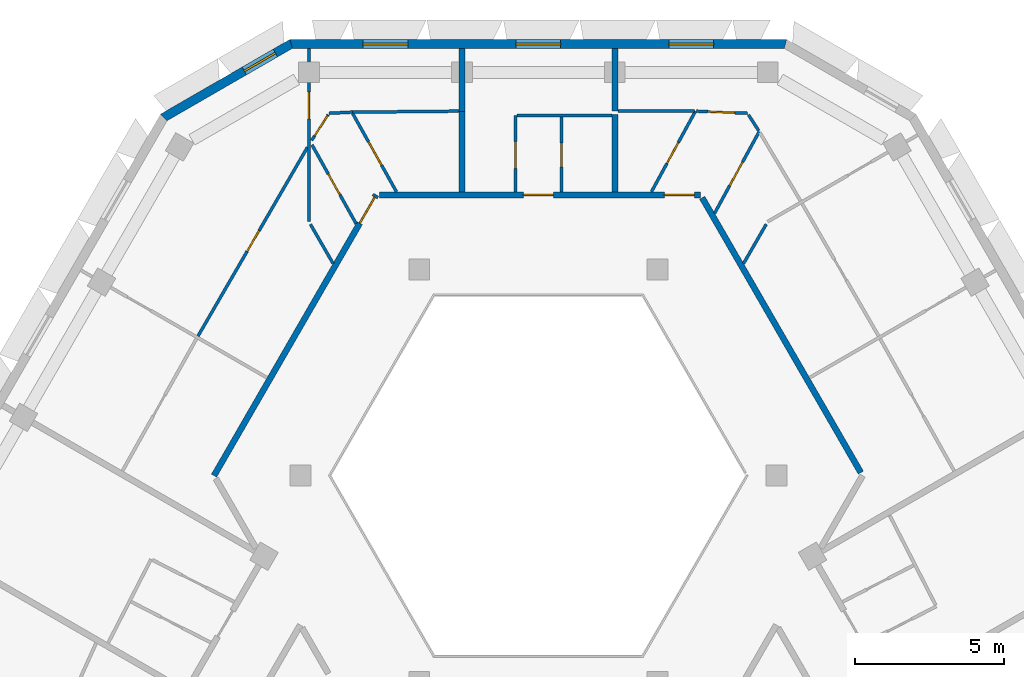
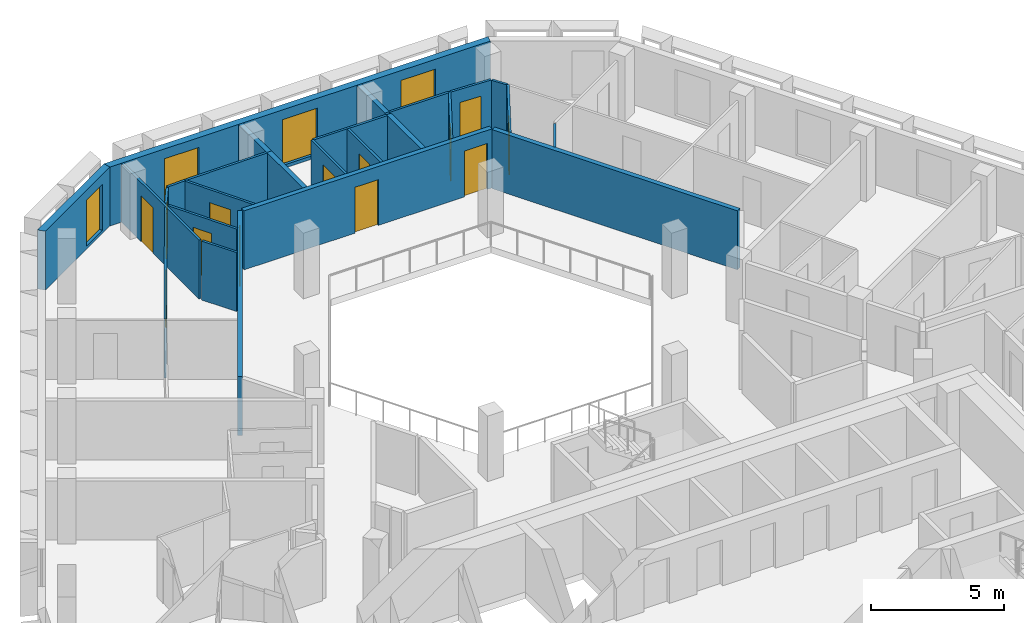
# One storey, part 7 of 15: 26 walls, 13 doors, 4 windows, 17 openings.
"""IFC4 building model written with IfcOpenShell, lengths in metres."""

from ifc_helpers import new_model, si_unit, direction, frame, frame_2d, origin, place, context, subcontext, project, spatial, polyline, rectangle, outline, extrude, material, layer, layer_set, type_object, element, fill, save


model = new_model("IFC4")

# Units and contexts
model_context = context("Model", 3, precision=1e-05, world=origin(), true_north=direction((0.0, 1.0)))
body_context = subcontext(model_context, "Body", "Model", "MODEL_VIEW")
ifc_project = project(units=[si_unit("LENGTHUNIT", "METRE"), si_unit("AREAUNIT", "SQUARE_METRE"), si_unit("VOLUMEUNIT", "CUBIC_METRE"), si_unit("PLANEANGLEUNIT", "RADIAN"), si_unit("MASSUNIT", "GRAM", prefix="KILO")], contexts=[model_context])

# Site, building, storey
site_placement = place(None, origin())
site = spatial("IfcSite", under=ifc_project, at=site_placement, CompositionType="ELEMENT")
building_placement = place(site_placement, origin())
building = spatial("IfcBuilding", under=site, at=building_placement, Name="Beryl Residences", CompositionType="ELEMENT")
storey_placement = place(building_placement, frame((0.0, 0.0, 217.800048828125)))
storey = spatial("IfcBuildingStorey", under=building, at=storey_placement, Name="L67", CompositionType="ELEMENT", Elevation=217.800048828125)

# Wall, openings, windows
ifc_material_1 = material(Name="Composite metal panel with mineral wool insulation")
ifc_layer_1 = layer(ifc_material_1, 0.300048828125)
ifc_layer_set_1 = layer_set([ifc_layer_1], Name="ES1 pale metal composite panel wall 300 mm")
wall_type_1 = type_object("IfcWallType", Name="ES1 pale metal composite panel wall 300 mm", PredefinedType="SOLIDWALL", material=ifc_layer_set_1)
wall_1_placement = place(storey_placement, frame((8.31396484375, 22.449951171875, 0.0), z_axis=(0.0, 0.0, 1.0), x_axis=(-1.0, 0.0, 0.0)))
wall_1 = element("IfcWall", 1, at=wall_1_placement, inside=storey, type_object=wall_type_1, Name="ES1 external wall L67 N", PredefinedType="SOLIDWALL", context=body_context, shape_type="SweptSolid", body=[
    extrude(outline(polyline([(0.0, -0.14990234375), (16.6279296875, -0.14990234375), (16.547607421875, 0.14990234375), (0.080322265625, 0.14990234375), (0.0, -0.14990234375)])), origin(), (0.0, 0.0, 1.0), 2.699951171875),
])
opening_1_placement = place(wall_1_placement, frame((2.444091796875, 0.0, 0.14990234375)))
opening_1 = element("IfcOpeningElement", 2, at=opening_1_placement, cuts=wall_1, Name="Opening W1", PredefinedType="OPENING", context=body_context, shape_type="SweptSolid", body=[
    extrude(rectangle(XDim=1.5, YDim=2.10009765625, at=frame_2d((0.75, 1.050048828125))), frame((0.0, 0.159912109375, 0.0), z_axis=(0.0, -1.0, 0.0), x_axis=(1.0, 0.0, 0.0)), (0.0, 0.0, 1.0), 0.320068359375),
])
opening_2_placement = place(wall_1_placement, frame((7.56396484375, 0.0, 0.14990234375)))
opening_2 = element("IfcOpeningElement", 3, at=opening_2_placement, cuts=wall_1, Name="Opening W1", PredefinedType="OPENING", context=body_context, shape_type="SweptSolid", body=[
    extrude(rectangle(XDim=1.5, YDim=2.10009765625, at=frame_2d((0.75, 1.050048828125))), frame((0.0, 0.159912109375, 0.0), z_axis=(0.0, -1.0, 0.0), x_axis=(1.0, 0.0, 0.0)), (0.0, 0.0, 1.0), 0.320068359375),
])
opening_3_placement = place(wall_1_placement, frame((12.68310546875, 0.0, 0.14990234375)))
opening_3 = element("IfcOpeningElement", 4, at=opening_3_placement, cuts=wall_1, Name="Opening W1", PredefinedType="OPENING", context=body_context, shape_type="SweptSolid", body=[
    extrude(rectangle(XDim=1.5, YDim=2.10009765625, at=frame_2d((0.75, 1.050048828125))), frame((0.0, 0.159912109375, 0.0), z_axis=(0.0, -1.0, 0.0), x_axis=(1.0, 0.0, 0.0)), (0.0, 0.0, 1.0), 0.320068359375),
])
ifc_material_2 = material(Name="Aluminium and clear glass", Category="aluminium")
window_type_1 = type_object("IfcWindowType", Name="W1 cell window 1500 x 2100 mm", PartitioningType="SINGLE_PANEL", PredefinedType="WINDOW", material=ifc_material_2)
window_1_placement = place(opening_1_placement, origin())
window_1 = element("IfcWindow", 5, at=window_1_placement, inside=storey, type_object=window_type_1, Name="W1 window L67 N 2", OverallHeight=2.10009765625, OverallWidth=1.5, PartitioningType="SINGLE_PANEL", PredefinedType="WINDOW", context=body_context, shape_type="SweptSolid", body=[
    extrude(rectangle(XDim=1.5, YDim=2.10009765625, at=frame_2d((0.75, 1.050048828125))), frame((0.0, 0.030029296875, 0.0), z_axis=(0.0, -1.0, 0.0), x_axis=(1.0, 0.0, 0.0)), (0.0, 0.0, 1.0), 0.06005859375),
])
fill(opening_1, window_1)
window_2_placement = place(opening_2_placement, origin())
window_2 = element("IfcWindow", 6, at=window_2_placement, inside=storey, type_object=window_type_1, Name="W1 window L67 N 4", OverallHeight=2.10009765625, OverallWidth=1.5, PartitioningType="SINGLE_PANEL", PredefinedType="WINDOW", context=body_context, shape_type="SweptSolid", body=[
    extrude(rectangle(XDim=1.5, YDim=2.10009765625, at=frame_2d((0.75, 1.050048828125))), frame((0.0, 0.030029296875, 0.0), z_axis=(0.0, -1.0, 0.0), x_axis=(1.0, 0.0, 0.0)), (0.0, 0.0, 1.0), 0.06005859375),
])
fill(opening_2, window_2)
window_3_placement = place(opening_3_placement, origin())
window_3 = element("IfcWindow", 7, at=window_3_placement, inside=storey, type_object=window_type_1, Name="W1 window L67 N 6", OverallHeight=2.10009765625, OverallWidth=1.5, PartitioningType="SINGLE_PANEL", PredefinedType="WINDOW", context=body_context, shape_type="SweptSolid", body=[
    extrude(rectangle(XDim=1.5, YDim=2.10009765625, at=frame_2d((0.75, 1.050048828125))), frame((0.0, 0.030029296875, 0.0), z_axis=(0.0, -1.0, 0.0), x_axis=(1.0, 0.0, 0.0)), (0.0, 0.0, 1.0), 0.06005859375),
])
fill(opening_3, window_3)

# Wall, opening, window
wall_2_placement = place(storey_placement, frame((-8.239013671875, 22.469970703125, 0.0), z_axis=(0.0, 0.0, 1.0), x_axis=(-0.866022959057, -0.500004234368, 0.0)))
wall_2 = element("IfcWall", 8, at=wall_2_placement, inside=storey, type_object=wall_type_1, Name="ES1 external wall L67 N-NW", PredefinedType="SOLIDWALL", context=body_context, shape_type="SweptSolid", body=[
    extrude(outline(polyline([(0.0, -0.14990234375), (5.0, -0.14990234375), (4.919677734375, 0.14990234375), (0.080322265625, 0.14990234375), (0.0, -0.14990234375)])), origin(), (0.0, 0.0, 1.0), 2.699951171875),
])
opening_4_placement = place(wall_2_placement, frame((0.64990234375, 0.0, 0.14990234375)))
opening_4 = element("IfcOpeningElement", 9, at=opening_4_placement, cuts=wall_2, Name="Opening W2", PredefinedType="OPENING", context=body_context, shape_type="SweptSolid", body=[
    extrude(rectangle(XDim=1.199951171875, YDim=2.10009765625, at=frame_2d((0.60009765625, 1.050048828125))), frame((0.0, 0.159912109375, 0.0), z_axis=(0.0, -1.0, 0.0), x_axis=(1.0, 0.0, 0.0)), (0.0, 0.0, 1.0), 0.320068359375),
])
ifc_material_3 = material(Name="Aluminium and clear glass", Category="aluminium")
window_type_2 = type_object("IfcWindowType", Name="W2 chamfer window 1200 x 2100 mm", PartitioningType="SINGLE_PANEL", PredefinedType="WINDOW", material=ifc_material_3)
window_4_placement = place(opening_4_placement, origin())
window_4 = element("IfcWindow", 10, at=window_4_placement, inside=storey, type_object=window_type_2, Name="W2 window L67 N-NW 1", OverallHeight=2.10009765625, OverallWidth=1.199951171875, PartitioningType="SINGLE_PANEL", PredefinedType="WINDOW", context=body_context, shape_type="SweptSolid", body=[
    extrude(rectangle(XDim=1.199951171875, YDim=2.10009765625, at=frame_2d((0.60009765625, 1.050048828125))), frame((0.0, 0.030029296875, 0.0), z_axis=(0.0, -1.0, 0.0), x_axis=(1.0, 0.0, 0.0)), (0.0, 0.0, 1.0), 0.06005859375),
])
fill(opening_4, window_4)

# Walls
ifc_material_4 = material(Name="Gypsum board partition on steel studs", Category="steel")
ifc_layer_2 = layer(ifc_material_4, 0.10009765625)
ifc_layer_set_2 = layer_set([ifc_layer_2], Name="PT1 partition 100 mm gypsum board on steel studs")
wall_type_2 = type_object("IfcWallType", Name="PT1 partition 100 mm gypsum board on steel studs", PredefinedType="PARTITIONING", material=ifc_layer_set_2)
wall_3_placement = place(storey_placement, frame((7.034912109375, 20.076904296875, 0.0), z_axis=(0.0, 0.0, 1.0), x_axis=(0.540425167977, -0.841392083286, 0.0)))
element("IfcWall", 11, at=wall_3_placement, inside=storey, type_object=wall_type_2, Name="Wall PT1 L67 003", PredefinedType="PARTITIONING", context=body_context, shape_type="SweptSolid", body=[
    extrude(rectangle(XDim=0.631103515625, YDim=0.10009765625, at=frame_2d((0.3154296875, 0.0))), origin(), (0.0, 0.0, 1.0), 2.699951171875),
])
wall_4_placement = place(storey_placement, frame((-7.6279296875, 16.412109375, 0.0), z_axis=(0.0, 0.0, 1.0), x_axis=(0.500159472144, -0.86593331292, 0.0)))
element("IfcWall", 12, at=wall_4_placement, inside=storey, type_object=wall_type_2, Name="Wall PT1 L67 006", PredefinedType="PARTITIONING", context=body_context, shape_type="SweptSolid", body=[
    extrude(rectangle(XDim=1.51513671875, YDim=0.10009765625, at=frame_2d((0.757568359375, 0.0))), origin(), (0.0, 0.0, 1.0), 2.699951171875),
])

# Wall, opening, door
wall_5_placement = place(storey_placement, frame((-6.2109375, 20.114990234375, 0.0), z_axis=(0.0, 0.0, 1.0), x_axis=(0.488221234931, -0.872719901092, 0.0)))
wall_5 = element("IfcWall", 13, at=wall_5_placement, inside=storey, type_object=wall_type_2, Name="Wall PT1 L67 009", PredefinedType="PARTITIONING", context=body_context, shape_type="SweptSolid", body=[
    extrude(rectangle(XDim=2.996337890625, YDim=0.10009765625, at=frame_2d((1.498046875, 0.0))), origin(), (0.0, 0.0, 1.0), 2.699951171875),
])
opening_5_placement = place(wall_5_placement, frame((1.076904296875, 0.0, 0.0)))
opening_5 = element("IfcOpeningElement", 14, at=opening_5_placement, cuts=wall_5, Name="Opening D2114", PredefinedType="OPENING", context=body_context, shape_type="SweptSolid", body=[
    extrude(rectangle(XDim=0.89990234375, YDim=2.10009765625, at=frame_2d((0.449951171875, 1.050048828125))), frame((0.0, 0.06005859375, 0.0), z_axis=(0.0, -1.0, 0.0), x_axis=(1.0, 0.0, 0.0)), (0.0, 0.0, 1.0), 0.1201171875),
])
ifc_material_5 = material(Name="Timber door leaf", Category="wood")
door_type_1 = type_object("IfcDoorType", Name="D2 room door 900 x 2100 mm", OperationType="SINGLE_SWING_LEFT", PredefinedType="DOOR", material=ifc_material_5)
door_1_placement = place(opening_5_placement, origin())
door_1 = element("IfcDoor", 15, at=door_1_placement, inside=storey, type_object=door_type_1, Name="Door D2114 L67 001", OperationType="SINGLE_SWING_RIGHT", OverallHeight=2.10009765625, OverallWidth=0.89990234375, PredefinedType="DOOR", context=body_context, shape_type="SweptSolid", body=[
    extrude(rectangle(XDim=0.89990234375, YDim=2.10009765625, at=frame_2d((0.449951171875, 1.050048828125))), frame((0.0, 0.02490234375, 0.0), z_axis=(0.0, -1.0, 0.0), x_axis=(1.0, 0.0, 0.0)), (0.0, 0.0, 1.0), 0.050048828125),
])
fill(opening_5, door_1)

wall_6_placement = place(storey_placement, frame((-7.574951171875, 19.070068359375, 0.0), z_axis=(0.0, 0.0, 1.0), x_axis=(0.488413788688, -0.872612153834, 0.0)))
wall_6 = element("IfcWall", 16, at=wall_6_placement, inside=storey, type_object=wall_type_2, Name="Wall PT1 L67 010", PredefinedType="PARTITIONING", context=body_context, shape_type="SweptSolid", body=[
    extrude(rectangle(XDim=3.019775390625, YDim=0.10009765625, at=frame_2d((1.509765625, 0.0))), origin(), (0.0, 0.0, 1.0), 2.699951171875),
])
opening_6_placement = place(wall_6_placement, frame((1.116943359375, 0.0, 0.0)))
opening_6 = element("IfcOpeningElement", 17, at=opening_6_placement, cuts=wall_6, Name="Opening D2113", PredefinedType="OPENING", context=body_context, shape_type="SweptSolid", body=[
    extrude(rectangle(XDim=0.800048828125, YDim=2.10009765625, at=frame_2d((0.39990234375, 1.050048828125))), frame((0.0, 0.06005859375, 0.0), z_axis=(0.0, -1.0, 0.0), x_axis=(1.0, 0.0, 0.0)), (0.0, 0.0, 1.0), 0.1201171875),
])
ifc_material_6 = material(Name="Timber door leaf", Category="wood")
door_type_2 = type_object("IfcDoorType", Name="D3 bathroom door 800 x 2100 mm", OperationType="SINGLE_SWING_LEFT", PredefinedType="DOOR", material=ifc_material_6)
door_2_placement = place(opening_6_placement, origin())
door_2 = element("IfcDoor", 18, at=door_2_placement, inside=storey, type_object=door_type_2, Name="Door D2113 L67 001", OperationType="SINGLE_SWING_LEFT", OverallHeight=2.10009765625, OverallWidth=0.800048828125, PredefinedType="DOOR", context=body_context, shape_type="SweptSolid", body=[
    extrude(rectangle(XDim=0.800048828125, YDim=2.10009765625, at=frame_2d((0.39990234375, 1.050048828125))), frame((0.0, 0.02490234375, 0.0), z_axis=(0.0, -1.0, 0.0), x_axis=(1.0, 0.0, 0.0)), (0.0, 0.0, 1.0), 0.050048828125),
])
fill(opening_6, door_2)

wall_7_placement = place(storey_placement, frame((5.2939453125, 20.197998046875, 0.0), z_axis=(0.0, 0.0, 1.0), x_axis=(0.999159599203, -0.040988965834, 0.0)))
wall_7 = element("IfcWall", 19, at=wall_7_placement, inside=storey, type_object=wall_type_2, Name="Wall PT1 L67 014", PredefinedType="PARTITIONING", context=body_context, shape_type="SweptSolid", body=[
    extrude(rectangle(XDim=1.70947265625, YDim=0.10009765625, at=frame_2d((0.854736328125, 0.0))), origin(), (0.0, 0.0, 1.0), 2.699951171875),
])
opening_7_placement = place(wall_7_placement, frame((0.376953125, 0.0, 0.0)))
opening_7 = element("IfcOpeningElement", 20, at=opening_7_placement, cuts=wall_7, Name="Opening D2104", PredefinedType="OPENING", context=body_context, shape_type="SweptSolid", body=[
    extrude(rectangle(XDim=0.89990234375, YDim=2.10009765625, at=frame_2d((0.449951171875, 1.050048828125))), frame((0.0, 0.06005859375, 0.0), z_axis=(0.0, -1.0, 0.0), x_axis=(1.0, 0.0, 0.0)), (0.0, 0.0, 1.0), 0.1201171875),
])
door_3_placement = place(opening_7_placement, origin())
door_3 = element("IfcDoor", 21, at=door_3_placement, inside=storey, type_object=door_type_1, Name="Door D2104 L67 001", OperationType="SINGLE_SWING_RIGHT", OverallHeight=2.10009765625, OverallWidth=0.89990234375, PredefinedType="DOOR", context=body_context, shape_type="SweptSolid", body=[
    extrude(rectangle(XDim=0.89990234375, YDim=2.10009765625, at=frame_2d((0.449951171875, 1.050048828125))), frame((0.0, 0.02490234375, 0.0), z_axis=(0.0, -1.0, 0.0), x_axis=(1.0, 0.0, 0.0)), (0.0, 0.0, 1.0), 0.050048828125),
])
fill(opening_7, door_3)

# Walls
wall_8_placement = place(storey_placement, frame((-0.716064453125, 20.06005859375, 0.0), z_axis=(0.0, 0.0, 1.0), x_axis=(1.0, 0.0, 0.0)))
element("IfcWall", 22, at=wall_8_placement, inside=storey, type_object=wall_type_2, Name="Wall PT1 L67 023", PredefinedType="PARTITIONING", context=body_context, shape_type="SweptSolid", body=[
    extrude(rectangle(XDim=3.176025390625, YDim=0.10009765625, at=frame_2d((1.587890625, 0.0))), origin(), (0.0, 0.0, 1.0), 2.699951171875),
])
wall_9_placement = place(storey_placement, frame((2.659912109375, 20.199951171875, 0.0), z_axis=(0.0, 0.0, 1.0), x_axis=(1.0, 0.0, 0.0)))
element("IfcWall", 23, at=wall_9_placement, inside=storey, type_object=wall_type_2, Name="Wall PT1 L67 024", PredefinedType="PARTITIONING", context=body_context, shape_type="SweptSolid", body=[
    extrude(rectangle(XDim=2.564208984375, YDim=0.10009765625, at=frame_2d((1.2822265625, 0.0))), origin(), (0.0, 0.0, 1.0), 2.699951171875),
])
wall_10_placement = place(storey_placement, frame((-6.259033203125, 20.1640625, 0.0), z_axis=(0.0, 0.0, 1.0), x_axis=(0.999952982126, 0.009697089139, 0.0)))
element("IfcWall", 24, at=wall_10_placement, inside=storey, type_object=wall_type_2, Name="Wall PT1 L67 025", PredefinedType="PARTITIONING", context=body_context, shape_type="SweptSolid", body=[
    extrude(rectangle(XDim=3.600341796875, YDim=0.10009765625, at=frame_2d((1.80029296875, 0.0))), origin(), (0.0, 0.0, 1.0), 2.699951171875),
])

# Wall, opening, door
wall_11_placement = place(storey_placement, frame((-7.5869140625, 19.218017578125, 0.0), z_axis=(0.0, 0.0, 1.0), x_axis=(0.54066090195, 0.841240624972, 0.0)))
wall_11 = element("IfcWall", 25, at=wall_11_placement, inside=storey, type_object=wall_type_2, Name="Wall PT1 L67 027", PredefinedType="PARTITIONING", context=body_context, shape_type="SweptSolid", body=[
    extrude(rectangle(XDim=1.02099609375, YDim=0.10009765625, at=frame_2d((0.510498046875, 0.0))), origin(), (0.0, 0.0, 1.0), 2.699951171875),
])
opening_8_placement = place(wall_11_placement, frame((0.180908203125, 0.0, 0.0)))
opening_8 = element("IfcOpeningElement", 26, at=opening_8_placement, cuts=wall_11, Name="Opening D2115", PredefinedType="OPENING", context=body_context, shape_type="SweptSolid", body=[
    extrude(rectangle(XDim=0.800048828125, YDim=2.10009765625, at=frame_2d((0.39990234375, 1.050048828125))), frame((0.0, 0.06005859375, 0.0), z_axis=(0.0, -1.0, 0.0), x_axis=(1.0, 0.0, 0.0)), (0.0, 0.0, 1.0), 0.1201171875),
])
ifc_material_7 = material(Name="Timber door leaf", Category="wood")
door_type_3 = type_object("IfcDoorType", Name="D13 room door 800 x 2100 mm", OperationType="SINGLE_SWING_LEFT", PredefinedType="DOOR", material=ifc_material_7)
door_4_placement = place(opening_8_placement, origin())
door_4 = element("IfcDoor", 27, at=door_4_placement, inside=storey, type_object=door_type_3, Name="Door D2115 L67 001", OperationType="SINGLE_SWING_LEFT", OverallHeight=2.10009765625, OverallWidth=0.800048828125, PredefinedType="DOOR", context=body_context, shape_type="SweptSolid", body=[
    extrude(rectangle(XDim=0.800048828125, YDim=2.10009765625, at=frame_2d((0.39990234375, 1.050048828125))), frame((0.0, 0.02490234375, 0.0), z_axis=(0.0, -1.0, 0.0), x_axis=(1.0, 0.0, 0.0)), (0.0, 0.0, 1.0), 0.050048828125),
])
fill(opening_8, door_4)

# Wall
wall_12_placement = place(storey_placement, frame((6.87109375, 15.10009765625, 0.0), z_axis=(0.0, 0.0, 1.0), x_axis=(0.499805980977, 0.866137391745, 0.0)))
element("IfcWall", 28, at=wall_12_placement, inside=storey, type_object=wall_type_2, Name="Wall PT1 L67 029", PredefinedType="PARTITIONING", context=body_context, shape_type="SweptSolid", body=[
    extrude(rectangle(XDim=1.51806640625, YDim=0.10009765625, at=frame_2d((0.759033203125, 0.0))), origin(), (0.0, 0.0, 1.0), 2.699951171875),
])

# Wall, opening, door
wall_13_placement = place(storey_placement, frame((-11.39208984375, 12.66796875, 0.0), z_axis=(0.0, 0.0, 1.0), x_axis=(0.501440551074, 0.865192102217, 0.0)))
wall_13 = element("IfcWall", 29, at=wall_13_placement, inside=storey, type_object=wall_type_2, Name="Wall PT1 L67 030", PredefinedType="PARTITIONING", context=body_context, shape_type="SweptSolid", body=[
    extrude(rectangle(XDim=7.30712890625, YDim=0.10009765625, at=frame_2d((3.653564453125, 0.0))), origin(), (0.0, 0.0, 1.0), 2.699951171875),
])
opening_9_placement = place(wall_13_placement, frame((3.278076171875, 0.0, 0.0)))
opening_9 = element("IfcOpeningElement", 30, at=opening_9_placement, cuts=wall_13, Name="Opening D2118", PredefinedType="OPENING", context=body_context, shape_type="SweptSolid", body=[
    extrude(rectangle(XDim=0.800048828125, YDim=2.10009765625, at=frame_2d((0.39990234375, 1.050048828125))), frame((0.0, 0.06005859375, 0.0), z_axis=(0.0, -1.0, 0.0), x_axis=(1.0, 0.0, 0.0)), (0.0, 0.0, 1.0), 0.1201171875),
])
door_5_placement = place(opening_9_placement, origin())
door_5 = element("IfcDoor", 31, at=door_5_placement, inside=storey, type_object=door_type_2, Name="Door D2118 L67 001", OperationType="SINGLE_SWING_RIGHT", OverallHeight=2.10009765625, OverallWidth=0.800048828125, PredefinedType="DOOR", context=body_context, shape_type="SweptSolid", body=[
    extrude(rectangle(XDim=0.800048828125, YDim=2.10009765625, at=frame_2d((0.39990234375, 1.050048828125))), frame((0.0, 0.02490234375, 0.0), z_axis=(0.0, -1.0, 0.0), x_axis=(1.0, 0.0, 0.0)), (0.0, 0.0, 1.0), 0.050048828125),
])
fill(opening_9, door_5)

wall_14_placement = place(storey_placement, frame((3.787109375, 17.5, 0.0), z_axis=(0.0, 0.0, 1.0), x_axis=(0.479146828267, 0.877734764585, 0.0)))
wall_14 = element("IfcWall", 32, at=wall_14_placement, inside=storey, type_object=wall_type_2, Name="Wall PT1 L67 032", PredefinedType="PARTITIONING", context=body_context, shape_type="SweptSolid", body=[
    extrude(rectangle(XDim=3.075927734375, YDim=0.10009765625, at=frame_2d((1.5380859375, 0.0))), origin(), (0.0, 0.0, 1.0), 2.699951171875),
])
opening_10_placement = place(wall_14_placement, frame((1.0810546875, 0.0, 0.0)))
opening_10 = element("IfcOpeningElement", 33, at=opening_10_placement, cuts=wall_14, Name="Opening D2103", PredefinedType="OPENING", context=body_context, shape_type="SweptSolid", body=[
    extrude(rectangle(XDim=0.800048828125, YDim=2.10009765625, at=frame_2d((0.39990234375, 1.050048828125))), frame((0.0, 0.06005859375, 0.0), z_axis=(0.0, -1.0, 0.0), x_axis=(1.0, 0.0, 0.0)), (0.0, 0.0, 1.0), 0.1201171875),
])
door_6_placement = place(opening_10_placement, origin())
door_6 = element("IfcDoor", 34, at=door_6_placement, inside=storey, type_object=door_type_2, Name="Door D2103 L67 001", OperationType="SINGLE_SWING_LEFT", OverallHeight=2.10009765625, OverallWidth=0.800048828125, PredefinedType="DOOR", context=body_context, shape_type="SweptSolid", body=[
    extrude(rectangle(XDim=0.800048828125, YDim=2.10009765625, at=frame_2d((0.39990234375, 1.050048828125))), frame((0.0, 0.02490234375, 0.0), z_axis=(0.0, -1.0, 0.0), x_axis=(1.0, 0.0, 0.0)), (0.0, 0.0, 1.0), 0.050048828125),
])
fill(opening_10, door_6)

wall_15_placement = place(storey_placement, frame((5.90087890625, 16.780029296875, 0.0), z_axis=(0.0, 0.0, 1.0), x_axis=(0.479148317257, 0.877733951759, 0.0)))
wall_15 = element("IfcWall", 35, at=wall_15_placement, inside=storey, type_object=wall_type_2, Name="Wall PT1 L67 033", PredefinedType="PARTITIONING", context=body_context, shape_type="SweptSolid", body=[
    extrude(rectangle(XDim=3.118408203125, YDim=0.10009765625, at=frame_2d((1.55908203125, 0.0))), origin(), (0.0, 0.0, 1.0), 2.699951171875),
])
opening_11_placement = place(wall_15_placement, frame((1.051025390625, 0.0, 0.0)))
opening_11 = element("IfcOpeningElement", 36, at=opening_11_placement, cuts=wall_15, Name="Opening D2102", PredefinedType="OPENING", context=body_context, shape_type="SweptSolid", body=[
    extrude(rectangle(XDim=0.89990234375, YDim=2.10009765625, at=frame_2d((0.449951171875, 1.050048828125))), frame((0.0, 0.06005859375, 0.0), z_axis=(0.0, -1.0, 0.0), x_axis=(1.0, 0.0, 0.0)), (0.0, 0.0, 1.0), 0.1201171875),
])
door_7_placement = place(opening_11_placement, origin())
door_7 = element("IfcDoor", 37, at=door_7_placement, inside=storey, type_object=door_type_1, Name="Door D2102 L67 001", OperationType="SINGLE_SWING_RIGHT", OverallHeight=2.10009765625, OverallWidth=0.89990234375, PredefinedType="DOOR", context=body_context, shape_type="SweptSolid", body=[
    extrude(rectangle(XDim=0.89990234375, YDim=2.10009765625, at=frame_2d((0.449951171875, 1.050048828125))), frame((0.0, 0.02490234375, 0.0), z_axis=(0.0, -1.0, 0.0), x_axis=(1.0, 0.0, 0.0)), (0.0, 0.0, 1.0), 0.050048828125),
])
fill(opening_11, door_7)

wall_16_placement = place(storey_placement, frame((0.76806640625, 17.5, 0.0), z_axis=(0.0, 0.0, 1.0), x_axis=(0.0, 1.0, 0.0)))
wall_16 = element("IfcWall", 38, at=wall_16_placement, inside=storey, type_object=wall_type_2, Name="Wall PT1 L67 037", PredefinedType="PARTITIONING", context=body_context, shape_type="SweptSolid", body=[
    extrude(rectangle(XDim=2.510009765625, YDim=0.10009765625, at=frame_2d((1.2548828125, 0.0))), origin(), (0.0, 0.0, 1.0), 2.699951171875),
])
opening_12_placement = place(wall_16_placement, frame((0.830078125, 0.0, 0.0)))
opening_12 = element("IfcOpeningElement", 39, at=opening_12_placement, cuts=wall_16, Name="Opening D2111", PredefinedType="OPENING", context=body_context, shape_type="SweptSolid", body=[
    extrude(rectangle(XDim=0.800048828125, YDim=2.10009765625, at=frame_2d((0.39990234375, 1.050048828125))), frame((0.0, 0.06005859375, 0.0), z_axis=(0.0, -1.0, 0.0), x_axis=(1.0, 0.0, 0.0)), (0.0, 0.0, 1.0), 0.1201171875),
])
door_8_placement = place(opening_12_placement, origin())
door_8 = element("IfcDoor", 40, at=door_8_placement, inside=storey, type_object=door_type_2, Name="Door D2111 L67 001", OperationType="SINGLE_SWING_LEFT", OverallHeight=2.10009765625, OverallWidth=0.800048828125, PredefinedType="DOOR", context=body_context, shape_type="SweptSolid", body=[
    extrude(rectangle(XDim=0.800048828125, YDim=2.10009765625, at=frame_2d((0.39990234375, 1.050048828125))), frame((0.0, 0.02490234375, 0.0), z_axis=(0.0, -1.0, 0.0), x_axis=(1.0, 0.0, 0.0)), (0.0, 0.0, 1.0), 0.050048828125),
])
fill(opening_12, door_8)

wall_17_placement = place(storey_placement, frame((-7.677978515625, 16.4990234375, 0.0), z_axis=(0.0, 0.0, 1.0), x_axis=(0.0, 1.0, 0.0)))
wall_17 = element("IfcWall", 41, at=wall_17_placement, inside=storey, type_object=wall_type_2, Name="Wall PT1 L67 039", PredefinedType="PARTITIONING", context=body_context, shape_type="SweptSolid", body=[
    extrude(rectangle(XDim=5.801025390625, YDim=0.10009765625, at=frame_2d((2.900390625, 0.0))), origin(), (0.0, 0.0, 1.0), 2.699951171875),
])
opening_13_placement = place(wall_17_placement, frame((3.43994140625, 0.0, 0.0)))
opening_13 = element("IfcOpeningElement", 42, at=opening_13_placement, cuts=wall_17, Name="Opening D2116", PredefinedType="OPENING", context=body_context, shape_type="SweptSolid", body=[
    extrude(rectangle(XDim=0.89990234375, YDim=2.10009765625, at=frame_2d((0.449951171875, 1.050048828125))), frame((0.0, 0.06005859375, 0.0), z_axis=(0.0, -1.0, 0.0), x_axis=(1.0, 0.0, 0.0)), (0.0, 0.0, 1.0), 0.1201171875),
])
door_9_placement = place(opening_13_placement, origin())
door_9 = element("IfcDoor", 43, at=door_9_placement, inside=storey, type_object=door_type_1, Name="Door D2116 L67 001", OperationType="SINGLE_SWING_RIGHT", OverallHeight=2.10009765625, OverallWidth=0.89990234375, PredefinedType="DOOR", context=body_context, shape_type="SweptSolid", body=[
    extrude(rectangle(XDim=0.89990234375, YDim=2.10009765625, at=frame_2d((0.449951171875, 1.050048828125))), frame((0.0, 0.02490234375, 0.0), z_axis=(0.0, -1.0, 0.0), x_axis=(1.0, 0.0, 0.0)), (0.0, 0.0, 1.0), 0.050048828125),
])
fill(opening_13, door_9)

wall_18_placement = place(storey_placement, frame((-0.76708984375, 17.5, 0.0), z_axis=(0.0, 0.0, 1.0), x_axis=(0.0, 1.0, 0.0)))
wall_18 = element("IfcWall", 44, at=wall_18_placement, inside=storey, type_object=wall_type_2, Name="Wall PT1 L67 040", PredefinedType="PARTITIONING", context=body_context, shape_type="SweptSolid", body=[
    extrude(rectangle(XDim=2.55908203125, YDim=0.10009765625, at=frame_2d((1.279541015625, 0.0))), origin(), (0.0, 0.0, 1.0), 2.699951171875),
])
opening_14_placement = place(wall_18_placement, frame((0.780029296875, 0.0, 0.0)))
opening_14 = element("IfcOpeningElement", 45, at=opening_14_placement, cuts=wall_18, Name="Opening D2110", PredefinedType="OPENING", context=body_context, shape_type="SweptSolid", body=[
    extrude(rectangle(XDim=0.89990234375, YDim=2.10009765625, at=frame_2d((0.449951171875, 1.050048828125))), frame((0.0, 0.06005859375, 0.0), z_axis=(0.0, -1.0, 0.0), x_axis=(1.0, 0.0, 0.0)), (0.0, 0.0, 1.0), 0.1201171875),
])
door_10_placement = place(opening_14_placement, origin())
door_10 = element("IfcDoor", 46, at=door_10_placement, inside=storey, type_object=door_type_1, Name="Door D2110 L67 001", OperationType="SINGLE_SWING_RIGHT", OverallHeight=2.10009765625, OverallWidth=0.89990234375, PredefinedType="DOOR", context=body_context, shape_type="SweptSolid", body=[
    extrude(rectangle(XDim=0.89990234375, YDim=2.10009765625, at=frame_2d((0.449951171875, 1.050048828125))), frame((0.0, 0.02490234375, 0.0), z_axis=(0.0, -1.0, 0.0), x_axis=(1.0, 0.0, 0.0)), (0.0, 0.0, 1.0), 0.050048828125),
])
fill(opening_14, door_10)

# Walls
wall_19_placement = place(storey_placement, frame((-7.001953125, 20.1279296875, 0.0), z_axis=(0.0, 0.0, 1.0), x_axis=(0.998824855741, 0.048465529548, 0.0)))
element("IfcWall", 47, at=wall_19_placement, inside=storey, type_object=wall_type_2, Name="Wall PT1 L67 041", PredefinedType="PARTITIONING", context=body_context, shape_type="SweptSolid", body=[
    extrude(rectangle(XDim=0.785888671875, YDim=0.10009765625, at=frame_2d((0.39306640625, 0.0))), origin(), (0.0, 0.0, 1.0), 2.699951171875),
])
ifc_material_8 = material(Name="Acoustic double stud gypsum board wall")
ifc_layer_3 = layer(ifc_material_8, 0.199951171875)
ifc_layer_set_3 = layer_set([ifc_layer_3], Name="PT3 party wall 200 mm acoustic double stud")
wall_type_3 = type_object("IfcWallType", Name="PT3 party wall 200 mm acoustic double stud", PredefinedType="PARTITIONING", material=ifc_layer_set_3)
wall_20_placement = place(storey_placement, frame((-2.55908203125, 20.219970703125, 0.0), z_axis=(0.0, 0.0, 1.0), x_axis=(0.0, -1.0, 0.0)))
element("IfcWall", 48, at=wall_20_placement, inside=storey, type_object=wall_type_3, Name="Wall PT3 L67 002", PredefinedType="PARTITIONING", context=body_context, shape_type="SweptSolid", body=[
    extrude(rectangle(XDim=2.719970703125, YDim=0.199951171875, at=frame_2d((1.35986328125, 0.0))), origin(), (0.0, 0.0, 1.0), 2.699951171875),
])
wall_21_placement = place(storey_placement, frame((2.56005859375, 20.080078125, 0.0), z_axis=(0.0, 0.0, 1.0), x_axis=(0.0, -1.0, 0.0)))
element("IfcWall", 49, at=wall_21_placement, inside=storey, type_object=wall_type_3, Name="Wall PT3 L67 003", PredefinedType="PARTITIONING", context=body_context, shape_type="SweptSolid", body=[
    extrude(rectangle(XDim=2.580078125, YDim=0.199951171875, at=frame_2d((1.2900390625, 0.0))), origin(), (0.0, 0.0, 1.0), 2.699951171875),
])
wall_22_placement = place(storey_placement, frame((2.56005859375, 20.199951171875, 0.0), z_axis=(0.0, 0.0, 1.0), x_axis=(0.0, 1.0, 0.0)))
element("IfcWall", 50, at=wall_22_placement, inside=storey, type_object=wall_type_3, Name="Wall PT3 L67 014", PredefinedType="PARTITIONING", context=body_context, shape_type="SweptSolid", body=[
    extrude(rectangle(XDim=2.10009765625, YDim=0.199951171875, at=frame_2d((1.050048828125, 0.0))), origin(), (0.0, 0.0, 1.0), 2.699951171875),
])
wall_23_placement = place(storey_placement, frame((-2.55908203125, 20.179931640625, 0.0), z_axis=(0.0, 0.0, 1.0), x_axis=(0.0, 1.0, 0.0)))
element("IfcWall", 51, at=wall_23_placement, inside=storey, type_object=wall_type_3, Name="Wall PT3 L67 015", PredefinedType="PARTITIONING", context=body_context, shape_type="SweptSolid", body=[
    extrude(rectangle(XDim=2.1201171875, YDim=0.199951171875, at=frame_2d((1.06005859375, 0.0))), origin(), (0.0, 0.0, 1.0), 2.699951171875),
])
ifc_material_9 = material(Name="Double stud gypsum board wall")
ifc_layer_4 = layer(ifc_material_9, 0.199951171875)
ifc_layer_set_4 = layer_set([ifc_layer_4], Name="PT4 corridor wall 200 mm double stud")
wall_type_4 = type_object("IfcWallType", Name="PT4 corridor wall 200 mm double stud", PredefinedType="PARTITIONING", material=ifc_layer_set_4)
wall_24_placement = place(storey_placement, frame((5.485107421875, 17.300048828125, 0.0), z_axis=(0.0, 0.0, 1.0), x_axis=(0.499943285704, -0.866058145322, 0.0)))
element("IfcWall", 52, at=wall_24_placement, inside=storey, type_object=wall_type_4, Name="Wall PT4 L67 007", PredefinedType="PARTITIONING", context=body_context, shape_type="SweptSolid", body=[
    extrude(rectangle(XDim=10.622802734375, YDim=0.199951171875, at=frame_2d((5.3115234375, 0.0))), origin(), (0.0, 0.0, 1.0), 2.699951171875),
])

# Wall, openings, doors
wall_25_placement = place(storey_placement, frame((-5.31201171875, 17.39990234375, 0.0), z_axis=(0.0, 0.0, 1.0), x_axis=(1.0, 0.0, 0.0)))
wall_25 = element("IfcWall", 53, at=wall_25_placement, inside=storey, type_object=wall_type_4, Name="Wall PT4 L67 017", PredefinedType="PARTITIONING", context=body_context, shape_type="SweptSolid", body=[
    extrude(rectangle(XDim=10.739013671875, YDim=0.199951171875, at=frame_2d((5.36962890625, 0.0))), origin(), (0.0, 0.0, 1.0), 2.699951171875),
])
opening_15_placement = place(wall_25_placement, frame((9.533935546875, 0.0, 0.0)))
opening_15 = element("IfcOpeningElement", 54, at=opening_15_placement, cuts=wall_25, Name="Opening D2101", PredefinedType="OPENING", context=body_context, shape_type="SweptSolid", body=[
    extrude(rectangle(XDim=1.0, YDim=2.10009765625, at=frame_2d((0.5, 1.050048828125))), frame((0.0, 0.10986328125, 0.0), z_axis=(0.0, -1.0, 0.0), x_axis=(1.0, 0.0, 0.0)), (0.0, 0.0, 1.0), 0.219970703125),
])
opening_16_placement = place(wall_25_placement, frame((4.81201171875, 0.0, 0.0)))
opening_16 = element("IfcOpeningElement", 55, at=opening_16_placement, cuts=wall_25, Name="Opening D2109", PredefinedType="OPENING", context=body_context, shape_type="SweptSolid", body=[
    extrude(rectangle(XDim=1.0, YDim=2.10009765625, at=frame_2d((0.5, 1.050048828125))), frame((0.0, 0.10986328125, 0.0), z_axis=(0.0, -1.0, 0.0), x_axis=(1.0, 0.0, 0.0)), (0.0, 0.0, 1.0), 0.219970703125),
])
ifc_material_10 = material(Name="Timber door leaf", Category="wood")
door_type_4 = type_object("IfcDoorType", Name="D1 flat entrance door 1000 x 2100 mm", OperationType="SINGLE_SWING_LEFT", PredefinedType="DOOR", material=ifc_material_10)
door_11_placement = place(opening_15_placement, origin())
door_11 = element("IfcDoor", 56, at=door_11_placement, inside=storey, type_object=door_type_4, Name="Door D2101 L67 001", OperationType="SINGLE_SWING_LEFT", OverallHeight=2.10009765625, OverallWidth=1.0, PredefinedType="DOOR", context=body_context, shape_type="SweptSolid", body=[
    extrude(rectangle(XDim=1.0, YDim=2.10009765625, at=frame_2d((0.5, 1.050048828125))), frame((0.0, 0.02490234375, 0.0), z_axis=(0.0, -1.0, 0.0), x_axis=(1.0, 0.0, 0.0)), (0.0, 0.0, 1.0), 0.050048828125),
])
fill(opening_15, door_11)
door_12_placement = place(opening_16_placement, origin())
door_12 = element("IfcDoor", 57, at=door_12_placement, inside=storey, type_object=door_type_4, Name="Door D2109 L67 001", OperationType="SINGLE_SWING_LEFT", OverallHeight=2.10009765625, OverallWidth=1.0, PredefinedType="DOOR", context=body_context, shape_type="SweptSolid", body=[
    extrude(rectangle(XDim=1.0, YDim=2.10009765625, at=frame_2d((0.5, 1.050048828125))), frame((0.0, 0.02490234375, 0.0), z_axis=(0.0, -1.0, 0.0), x_axis=(1.0, 0.0, 0.0)), (0.0, 0.0, 1.0), 0.050048828125),
])
fill(opening_16, door_12)

# Wall, opening, door
wall_26_placement = place(storey_placement, frame((-10.85400390625, 8.0, 0.0), z_axis=(0.0, 0.0, 1.0), x_axis=(0.499997637144, 0.866026767976, 0.0)))
wall_26 = element("IfcWall", 58, at=wall_26_placement, inside=storey, type_object=wall_type_4, Name="Wall PT4 L67 025", PredefinedType="PARTITIONING", context=body_context, shape_type="SweptSolid", body=[
    extrude(rectangle(XDim=10.85400390625, YDim=0.199951171875, at=frame_2d((5.427001953125, 0.0))), origin(), (0.0, 0.0, 1.0), 2.699951171875),
])
opening_17_placement = place(wall_26_placement, frame((9.75390625, 0.0, 0.0)))
opening_17 = element("IfcOpeningElement", 59, at=opening_17_placement, cuts=wall_26, Name="Opening D2112", PredefinedType="OPENING", context=body_context, shape_type="SweptSolid", body=[
    extrude(rectangle(XDim=1.0, YDim=2.10009765625, at=frame_2d((0.5, 1.050048828125))), frame((0.0, 0.10986328125, 0.0), z_axis=(0.0, -1.0, 0.0), x_axis=(1.0, 0.0, 0.0)), (0.0, 0.0, 1.0), 0.219970703125),
])
door_13_placement = place(opening_17_placement, origin())
door_13 = element("IfcDoor", 60, at=door_13_placement, inside=storey, type_object=door_type_4, Name="Door D2112 L67 001", OperationType="SINGLE_SWING_RIGHT", OverallHeight=2.10009765625, OverallWidth=1.0, PredefinedType="DOOR", context=body_context, shape_type="SweptSolid", body=[
    extrude(rectangle(XDim=1.0, YDim=2.10009765625, at=frame_2d((0.5, 1.050048828125))), frame((0.0, 0.02490234375, 0.0), z_axis=(0.0, -1.0, 0.0), x_axis=(1.0, 0.0, 0.0)), (0.0, 0.0, 1.0), 0.050048828125),
])
fill(opening_17, door_13)

save(model, "model.ifc")
